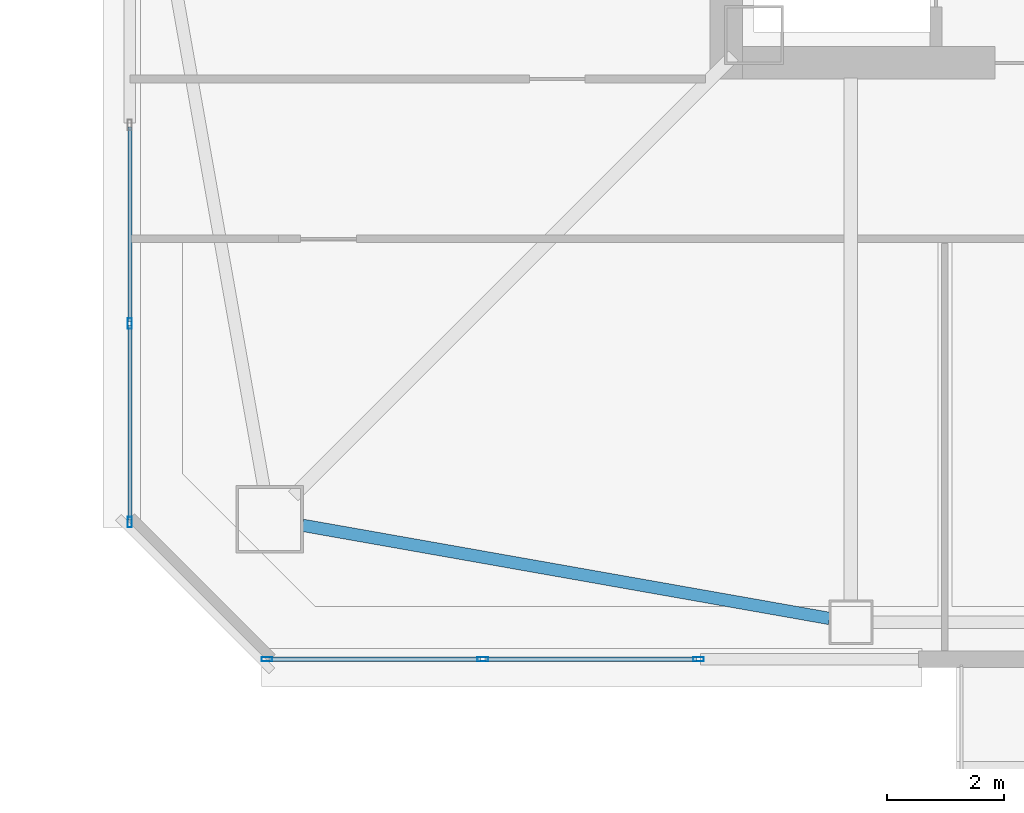
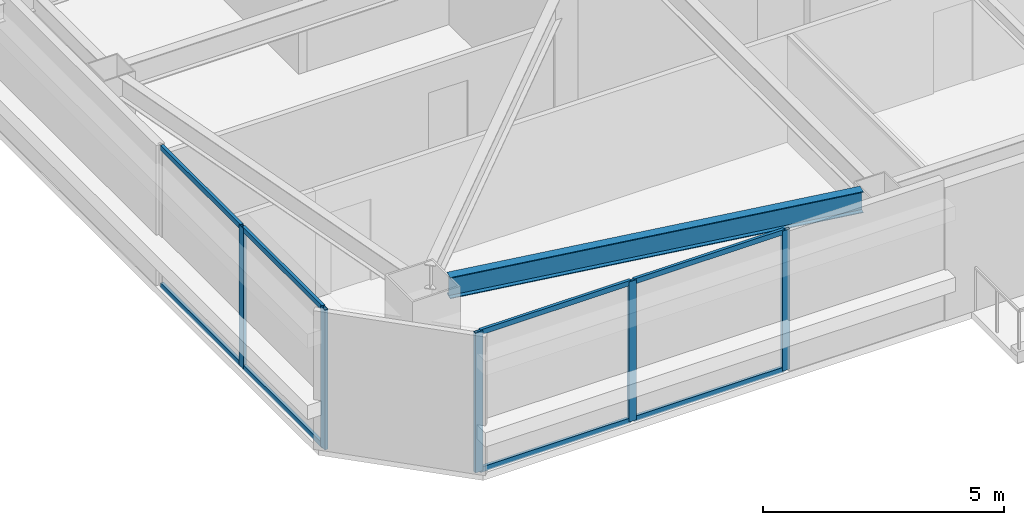
# One storey, part 3 of 44: 13 members, 1 beam, 2 elements without a shape of their own.
"""IFC4 building model written with IfcOpenShell, lengths in metres."""

from ifc_helpers import new_model, si_unit, direction, frame, origin, origin_2d, place, context, subcontext, project, spatial, hollow_rectangle, i_section, extrude, material, material_profile, profile_set, type_object, element, aggregate, save


model = new_model("IFC4")

# Units and contexts
model_context = context("Model", 3, precision=1e-05, world=origin(), true_north=direction((0.0, 1.0)))
body_context = subcontext(model_context, "Body", "Model", "MODEL_VIEW")
ifc_project = project(units=[si_unit("LENGTHUNIT", "METRE"), si_unit("AREAUNIT", "SQUARE_METRE"), si_unit("VOLUMEUNIT", "CUBIC_METRE"), si_unit("PLANEANGLEUNIT", "RADIAN"), si_unit("MASSUNIT", "GRAM", prefix="KILO")], contexts=[model_context])

# Site, building, storey
site_placement = place(None, origin())
site = spatial("IfcSite", under=ifc_project, at=site_placement, CompositionType="ELEMENT")
building_placement = place(site_placement, origin())
building = spatial("IfcBuilding", under=site, at=building_placement, Name="Tashvorn Skyway Center", CompositionType="ELEMENT")
storey_placement = place(building_placement, frame((0.0, 0.0, 181.85009765625)))
storey = spatial("IfcBuildingStorey", under=building, at=storey_placement, Name="L49", CompositionType="ELEMENT", Elevation=181.85009765625)

# Beam
ifc_material_1 = material(Name="Steel ASTM A992 Grade 50", Category="steel")
ifc_material_profile_1 = material_profile(ifc_material_1, i_section(OverallWidth=0.2109375, OverallDepth=0.5390625, WebThickness=0.01171875, FlangeThickness=0.018798828125, at=origin_2d()), Name="W21X73")
ifc_profile_set_1 = profile_set([ifc_material_profile_1], Name="Steel ASTM A992 Grade 50")
beam_type = type_object("IfcBeamType", Name="BM-SPANDREL-W21X73", PredefinedType="SPANDREL", material=ifc_profile_set_1)
beam_placement = place(storey_placement, frame((27.26123046875, 16.600830078125, 3.100341796875), z_axis=(0.984732545667, -0.174074160933, 0.0), x_axis=(0.174074160933, 0.984732545667, 0.0)))
element("IfcBeam", 1, at=beam_placement, inside=storey, type_object=beam_type, Name="Tower 1 L49 Spandrel Beam 01", PredefinedType="SPANDREL", context=body_context, shape_type="SweptSolid", body=[
    extrude(i_section(OverallWidth=0.2109375, OverallDepth=0.5390625, WebThickness=0.01171875, FlangeThickness=0.018798828125, at=origin_2d()), origin(), (0.0, 0.0, 1.0), 9.113525390625),
])

# Curtain wall, members
ifc_material_2 = material(Name="Thermally broken bronze-anodized aluminium 6063-T6", Category="aluminium")
curtain_wall_type = type_object("IfcCurtainWallType", Name="CW-CW-Z4", PredefinedType="NOTDEFINED", material=ifc_material_2)
curtain_wall_1_placement = place(storey_placement, origin())
curtain_wall_1 = element("IfcCurtainWall", 2, at=curtain_wall_1_placement, inside=storey, type_object=curtain_wall_type, Name="Tower 1 L49 South Curtain Wall R Glazing Group 1", PredefinedType="NOTDEFINED")
ifc_material_profile_2 = material_profile(ifc_material_2, hollow_rectangle(XDim=0.070068359375, YDim=0.179931640625, WallThickness=0.00390625, at=origin_2d()), Name="ALU-MULL-70x180")
ifc_profile_set_2 = profile_set([ifc_material_profile_2], Name="Thermally broken bronze-anodized aluminium 6063-T6")
member_type_1 = type_object("IfcMemberType", Name="CWM-CW-Z4", PredefinedType="MULLION", material=ifc_profile_set_2)
member_1_placement = place(storey_placement, frame((34.0048828125, 14.320068359375, 0.0), z_axis=(0.0, 0.0, 1.0), x_axis=(0.0, -1.0, 0.0)))
member_1 = element("IfcMember", 3, at=member_1_placement, type_object=member_type_1, Name="CW-Z4 mullion 1", PredefinedType="MULLION", context=body_context, shape_type="SweptSolid", body=[
    extrude(hollow_rectangle(XDim=0.070068359375, YDim=0.179931640625, WallThickness=0.00390625, at=origin_2d()), origin(), (0.0, 0.0, 1.0), 3.5498046875),
])
member_2_placement = place(storey_placement, frame((30.330078125, 14.320068359375, 0.0), z_axis=(0.0, 0.0, 1.0), x_axis=(0.0, -1.0, 0.0)))
member_2 = element("IfcMember", 4, at=member_2_placement, type_object=member_type_1, Name="CW-Z4 mullion 2", PredefinedType="MULLION", context=body_context, shape_type="SweptSolid", body=[
    extrude(hollow_rectangle(XDim=0.070068359375, YDim=0.179931640625, WallThickness=0.00390625, at=origin_2d()), origin(), (0.0, 0.0, 1.0), 3.5498046875),
])
member_3_placement = place(storey_placement, frame((26.655029296875, 14.320068359375, 0.0), z_axis=(0.0, 0.0, 1.0), x_axis=(0.0, -1.0, 0.0)))
member_3 = element("IfcMember", 5, at=member_3_placement, type_object=member_type_1, Name="CW-Z4 mullion 3", PredefinedType="MULLION", context=body_context, shape_type="SweptSolid", body=[
    extrude(hollow_rectangle(XDim=0.070068359375, YDim=0.179931640625, WallThickness=0.00390625, at=origin_2d()), origin(), (0.0, 0.0, 1.0), 3.5498046875),
])

curtain_wall_2_placement = place(storey_placement, origin())
curtain_wall_2 = element("IfcCurtainWall", 6, at=curtain_wall_2_placement, inside=storey, type_object=curtain_wall_type, Name="Tower 1 L49 West Unitised Curtain Wall Glazing Group 1", PredefinedType="NOTDEFINED")
member_4_placement = place(storey_placement, frame((24.320068359375, 16.655029296875, 0.0), z_axis=(0.0, 0.0, 1.0), x_axis=(-1.0, 0.0, 0.0)))
member_4 = element("IfcMember", 7, at=member_4_placement, type_object=member_type_1, Name="CW-Z4 mullion 1", PredefinedType="MULLION", context=body_context, shape_type="SweptSolid", body=[
    extrude(hollow_rectangle(XDim=0.070068359375, YDim=0.179931640625, WallThickness=0.00390625, at=origin_2d()), origin(), (0.0, 0.0, 1.0), 3.5498046875),
])
member_5_placement = place(storey_placement, frame((24.320068359375, 20.037841796875, 0.0), z_axis=(0.0, 0.0, 1.0), x_axis=(-1.0, 0.0, 0.0)))
member_5 = element("IfcMember", 8, at=member_5_placement, type_object=member_type_1, Name="CW-Z4 mullion 2", PredefinedType="MULLION", context=body_context, shape_type="SweptSolid", body=[
    extrude(hollow_rectangle(XDim=0.070068359375, YDim=0.179931640625, WallThickness=0.00390625, at=origin_2d()), origin(), (0.0, 0.0, 1.0), 3.5498046875),
])

# Member
ifc_material_profile_3 = material_profile(ifc_material_2, hollow_rectangle(XDim=0.070068359375, YDim=0.1298828125, WallThickness=0.00390625, at=origin_2d()), Name="ALU-TRAN-70x130")
ifc_profile_set_3 = profile_set([ifc_material_profile_3], Name="Thermally broken bronze-anodized aluminium 6063-T6")
member_type_2 = type_object("IfcMemberType", Name="CWT-CW-Z4", PredefinedType="USERDEFINED", material=ifc_profile_set_3)
member_6_placement = place(storey_placement, frame((33.969970703125, 14.320068359375, 0.034912109375), z_axis=(-1.0, 0.0, 0.0), x_axis=(0.0, -1.0, 0.0)))
member_6 = element("IfcMember", 9, at=member_6_placement, type_object=member_type_2, Name="CW-Z4 transom 1.1", ObjectType="TRANSOM", PredefinedType="USERDEFINED", context=body_context, shape_type="SweptSolid", body=[
    extrude(hollow_rectangle(XDim=0.070068359375, YDim=0.1298828125, WallThickness=0.00390625, at=origin_2d()), origin(), (0.0, 0.0, 1.0), 3.60498046875),
])

member_7_placement = place(storey_placement, frame((33.969970703125, 14.320068359375, 3.514892578125), z_axis=(-1.0, 0.0, 0.0), x_axis=(0.0, -1.0, 0.0)))
member_7 = element("IfcMember", 10, at=member_7_placement, type_object=member_type_2, Name="CW-Z4 transom 1.2", ObjectType="TRANSOM", PredefinedType="USERDEFINED", context=body_context, shape_type="SweptSolid", body=[
    extrude(hollow_rectangle(XDim=0.070068359375, YDim=0.1298828125, WallThickness=0.00390625, at=origin_2d()), origin(), (0.0, 0.0, 1.0), 3.60498046875),
])

member_8_placement = place(storey_placement, frame((30.294921875, 14.320068359375, 0.034912109375), z_axis=(-1.0, 0.0, 0.0), x_axis=(0.0, -1.0, 0.0)))
member_8 = element("IfcMember", 11, at=member_8_placement, type_object=member_type_2, Name="CW-Z4 transom 2.1", ObjectType="TRANSOM", PredefinedType="USERDEFINED", context=body_context, shape_type="SweptSolid", body=[
    extrude(hollow_rectangle(XDim=0.070068359375, YDim=0.1298828125, WallThickness=0.00390625, at=origin_2d()), origin(), (0.0, 0.0, 1.0), 3.60498046875),
])

member_9_placement = place(storey_placement, frame((30.294921875, 14.320068359375, 3.514892578125), z_axis=(-1.0, 0.0, 0.0), x_axis=(0.0, -1.0, 0.0)))
member_9 = element("IfcMember", 12, at=member_9_placement, type_object=member_type_2, Name="CW-Z4 transom 2.2", ObjectType="TRANSOM", PredefinedType="USERDEFINED", context=body_context, shape_type="SweptSolid", body=[
    extrude(hollow_rectangle(XDim=0.070068359375, YDim=0.1298828125, WallThickness=0.00390625, at=origin_2d()), origin(), (0.0, 0.0, 1.0), 3.60498046875),
])

aggregate(curtain_wall_1, [member_1, member_2, member_3, member_6, member_7, member_8, member_9])

member_10_placement = place(storey_placement, frame((24.320068359375, 16.68994140625, 0.034912109375), z_axis=(0.0, 1.0, 0.0), x_axis=(-1.0, 0.0, 0.0)))
member_10 = element("IfcMember", 13, at=member_10_placement, type_object=member_type_2, Name="CW-Z4 transom 1.1", ObjectType="TRANSOM", PredefinedType="USERDEFINED", context=body_context, shape_type="SweptSolid", body=[
    extrude(hollow_rectangle(XDim=0.070068359375, YDim=0.1298828125, WallThickness=0.00390625, at=origin_2d()), origin(), (0.0, 0.0, 1.0), 3.312744140625),
])

member_11_placement = place(storey_placement, frame((24.320068359375, 16.68994140625, 3.514892578125), z_axis=(0.0, 1.0, 0.0), x_axis=(-1.0, 0.0, 0.0)))
member_11 = element("IfcMember", 14, at=member_11_placement, type_object=member_type_2, Name="CW-Z4 transom 1.2", ObjectType="TRANSOM", PredefinedType="USERDEFINED", context=body_context, shape_type="SweptSolid", body=[
    extrude(hollow_rectangle(XDim=0.070068359375, YDim=0.1298828125, WallThickness=0.00390625, at=origin_2d()), origin(), (0.0, 0.0, 1.0), 3.312744140625),
])

member_12_placement = place(storey_placement, frame((24.320068359375, 20.07275390625, 0.034912109375), z_axis=(0.0, 1.0, 0.0), x_axis=(-1.0, 0.0, 0.0)))
member_12 = element("IfcMember", 15, at=member_12_placement, type_object=member_type_2, Name="CW-Z4 transom 2.1", ObjectType="TRANSOM", PredefinedType="USERDEFINED", context=body_context, shape_type="SweptSolid", body=[
    extrude(hollow_rectangle(XDim=0.070068359375, YDim=0.1298828125, WallThickness=0.00390625, at=origin_2d()), origin(), (0.0, 0.0, 1.0), 3.312744140625),
])

member_13_placement = place(storey_placement, frame((24.320068359375, 20.07275390625, 3.514892578125), z_axis=(0.0, 1.0, 0.0), x_axis=(-1.0, 0.0, 0.0)))
member_13 = element("IfcMember", 16, at=member_13_placement, type_object=member_type_2, Name="CW-Z4 transom 2.2", ObjectType="TRANSOM", PredefinedType="USERDEFINED", context=body_context, shape_type="SweptSolid", body=[
    extrude(hollow_rectangle(XDim=0.070068359375, YDim=0.1298828125, WallThickness=0.00390625, at=origin_2d()), origin(), (0.0, 0.0, 1.0), 3.312744140625),
])

aggregate(curtain_wall_2, [member_4, member_5, member_10, member_11, member_12, member_13])

save(model, "model.ifc")
